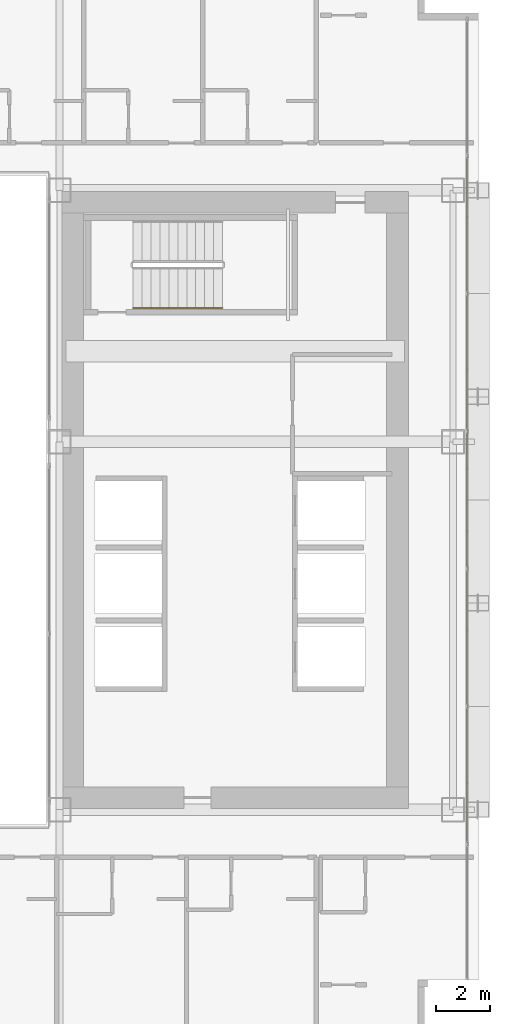
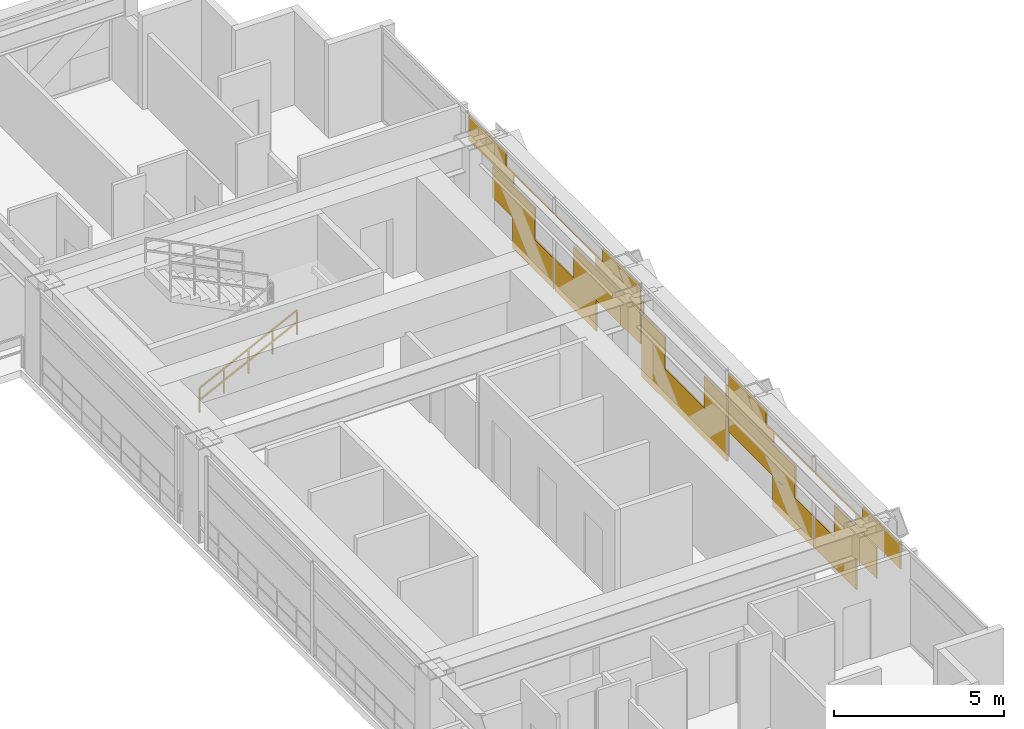
# One storey, part 40 of 41: 1 covering, 1 railing.
"""IFC4 building model written with IfcOpenShell, lengths in metres."""

from ifc_helpers import new_model, si_unit, direction, frame, origin, origin_2d, place, context, subcontext, project, spatial, rectangle, extrude, material, layer, layer_set, type_object, element, save


model = new_model("IFC4")

# Units and contexts
model_context = context("Model", 3, precision=1e-05, world=origin(), true_north=direction((0.0, 1.0)))
body_context = subcontext(model_context, "Body", "Model", "MODEL_VIEW")
ifc_project = project(units=[si_unit("LENGTHUNIT", "METRE"), si_unit("AREAUNIT", "SQUARE_METRE"), si_unit("VOLUMEUNIT", "CUBIC_METRE"), si_unit("PLANEANGLEUNIT", "RADIAN"), si_unit("MASSUNIT", "GRAM", prefix="KILO")], contexts=[model_context])

# Site, building, storey
site_placement = place(None, origin())
site = spatial("IfcSite", under=ifc_project, at=site_placement, CompositionType="ELEMENT")
building_placement = place(site_placement, origin())
building = spatial("IfcBuilding", under=site, at=building_placement, Name="Ocotamira Hotel", CompositionType="ELEMENT")
storey_placement = place(building_placement, frame((0.0, 0.0, 38.39990234375)))
storey = spatial("IfcBuildingStorey", under=building, at=storey_placement, Name="L08", CompositionType="ELEMENT", Elevation=38.39990234375)

# Covering
ifc_material_1 = material(Name="Insulated pale-metal aluminium spandrel panel", Category="aluminium")
ifc_layer = layer(ifc_material_1, 0.044921875)
ifc_layer_set = layer_set([ifc_layer], Name="Insulated pale-metal aluminium spandrel panel")
covering_type = type_object("IfcCoveringType", Name="COV-INFILL-45", PredefinedType="CLADDING", material=ifc_layer_set)
covering_placement = place(storey_placement, origin())
element("IfcCovering", 1, at=covering_placement, inside=storey, type_object=covering_type, Name="L08 Curtain Wall Infill CW-2 CW-L08-E", PredefinedType="CLADDING", context=body_context, shape_type="SweptSolid", body=[
    extrude(rectangle(XDim=2.49658203125, YDim=0.044921875, at=origin_2d()), frame((55.580078125, 15.977783203125, 1.1943359375), z_axis=(0.0, 0.0, 1.0), x_axis=(0.0, 1.0, 0.0)), (0.0, 0.0, 1.0), 1.11767578125),
    extrude(rectangle(XDim=2.415283203125, YDim=0.044921875, at=origin_2d()), frame((55.580078125, 17.123291015625, 0.07568359375), z_axis=(0.0, 0.0, 1.0), x_axis=(0.0, 1.0, 0.0)), (0.0, 0.0, 1.0), 1.11767578125),
    extrude(rectangle(XDim=2.634521484375, YDim=0.044921875, at=origin_2d()), frame((55.580078125, 14.6435546875, 2.38818359375), z_axis=(0.0, 0.0, 1.0), x_axis=(0.0, 1.0, 0.0)), (0.0, 0.0, 1.0), 0.366943359375),
    extrude(rectangle(XDim=5.004638671875, YDim=0.044921875, at=origin_2d()), frame((55.580078125, 15.82861328125, 2.756103515625), z_axis=(0.0, 0.0, 1.0), x_axis=(0.0, 1.0, 0.0)), (0.0, 0.0, 1.0), 0.033203125),
    extrude(rectangle(XDim=2.2080078125, YDim=0.044921875, at=origin_2d()), frame((55.580078125, 14.43017578125, 2.79052734375), z_axis=(0.0, 0.0, 1.0), x_axis=(0.0, 1.0, 0.0)), (0.0, 0.0, 1.0), 0.484130859375),
    extrude(rectangle(XDim=2.40576171875, YDim=0.044921875, at=origin_2d()), frame((55.580078125, 19.61474609375, 0.07568359375), z_axis=(0.0, 0.0, 1.0), x_axis=(0.0, 1.0, 0.0)), (0.0, 0.0, 1.0), 1.11767578125),
    extrude(rectangle(XDim=3.90966796875, YDim=0.044921875, at=origin_2d()), frame((55.580078125, 21.4619140625, 1.1943359375), z_axis=(0.0, 0.0, 1.0), x_axis=(0.0, 1.0, 0.0)), (0.0, 0.0, 1.0), 1.11767578125),
    extrude(rectangle(XDim=5.004638671875, YDim=0.044921875, at=origin_2d()), frame((55.580078125, 20.914306640625, 2.756103515625), z_axis=(0.0, 0.0, 1.0), x_axis=(0.0, 1.0, 0.0)), (0.0, 0.0, 1.0), 0.033203125),
    extrude(rectangle(XDim=2.64404296875, YDim=0.044921875, at=origin_2d()), frame((55.580078125, 22.094482421875, 2.38818359375), z_axis=(0.0, 0.0, 1.0), x_axis=(0.0, 1.0, 0.0)), (0.0, 0.0, 1.0), 0.366943359375),
    extrude(rectangle(XDim=2.217529296875, YDim=0.044921875, at=origin_2d()), frame((55.580078125, 22.307861328125, 2.79052734375), z_axis=(0.0, 0.0, 1.0), x_axis=(0.0, 1.0, 0.0)), (0.0, 0.0, 1.0), 0.484130859375),
    extrude(rectangle(XDim=5.004638671875, YDim=0.044921875, at=origin_2d()), frame((55.580078125, 26.0, 0.07568359375), z_axis=(0.0, 0.0, 1.0), x_axis=(0.0, 1.0, 0.0)), (0.0, 0.0, 1.0), 1.11767578125),
    extrude(rectangle(XDim=1.362060546875, YDim=0.044921875, at=origin_2d()), frame((55.580078125, 24.1787109375, 1.1943359375), z_axis=(0.0, 0.0, 1.0), x_axis=(0.0, 1.0, 0.0)), (0.0, 0.0, 1.0), 1.11767578125),
    extrude(rectangle(XDim=1.362060546875, YDim=0.044921875, at=origin_2d()), frame((55.580078125, 27.8212890625, 1.1943359375), z_axis=(0.0, 0.0, 1.0), x_axis=(0.0, 1.0, 0.0)), (0.0, 0.0, 1.0), 1.11767578125),
    extrude(rectangle(XDim=0.096435546875, YDim=0.044921875, at=origin_2d()), frame((55.580078125, 23.5458984375, 2.387939453125), z_axis=(0.0, 0.0, 1.0), x_axis=(0.0, 1.0, 0.0)), (0.0, 0.0, 1.0), 0.4013671875),
    extrude(rectangle(XDim=0.096435546875, YDim=0.044921875, at=origin_2d()), frame((55.580078125, 28.4541015625, 2.387939453125), z_axis=(0.0, 0.0, 1.0), x_axis=(0.0, 1.0, 0.0)), (0.0, 0.0, 1.0), 0.4013671875),
    extrude(rectangle(XDim=3.90966796875, YDim=0.044921875, at=origin_2d()), frame((55.580078125, 30.5380859375, 1.1943359375), z_axis=(0.0, 0.0, 1.0), x_axis=(0.0, 1.0, 0.0)), (0.0, 0.0, 1.0), 1.11767578125),
    extrude(rectangle(XDim=2.40576171875, YDim=0.044921875, at=origin_2d()), frame((55.580078125, 32.38525390625, 0.07568359375), z_axis=(0.0, 0.0, 1.0), x_axis=(0.0, 1.0, 0.0)), (0.0, 0.0, 1.0), 1.11767578125),
    extrude(rectangle(XDim=2.64404296875, YDim=0.044921875, at=origin_2d()), frame((55.580078125, 29.905517578125, 2.38818359375), z_axis=(0.0, 0.0, 1.0), x_axis=(0.0, 1.0, 0.0)), (0.0, 0.0, 1.0), 0.366943359375),
    extrude(rectangle(XDim=5.004638671875, YDim=0.044921875, at=origin_2d()), frame((55.580078125, 31.085693359375, 2.756103515625), z_axis=(0.0, 0.0, 1.0), x_axis=(0.0, 1.0, 0.0)), (0.0, 0.0, 1.0), 0.033203125),
    extrude(rectangle(XDim=2.217529296875, YDim=0.044921875, at=origin_2d()), frame((55.580078125, 29.692138671875, 2.79052734375), z_axis=(0.0, 0.0, 1.0), x_axis=(0.0, 1.0, 0.0)), (0.0, 0.0, 1.0), 0.484130859375),
    extrude(rectangle(XDim=2.415283203125, YDim=0.044921875, at=origin_2d()), frame((55.580078125, 34.876708984375, 0.07568359375), z_axis=(0.0, 0.0, 1.0), x_axis=(0.0, 1.0, 0.0)), (0.0, 0.0, 1.0), 1.11767578125),
    extrude(rectangle(XDim=2.49658203125, YDim=0.044921875, at=origin_2d()), frame((55.580078125, 36.022216796875, 1.1943359375), z_axis=(0.0, 0.0, 1.0), x_axis=(0.0, 1.0, 0.0)), (0.0, 0.0, 1.0), 1.11767578125),
    extrude(rectangle(XDim=5.004638671875, YDim=0.044921875, at=origin_2d()), frame((55.580078125, 36.17138671875, 2.756103515625), z_axis=(0.0, 0.0, 1.0), x_axis=(0.0, 1.0, 0.0)), (0.0, 0.0, 1.0), 0.033203125),
    extrude(rectangle(XDim=2.634521484375, YDim=0.044921875, at=origin_2d()), frame((55.580078125, 37.3564453125, 2.38818359375), z_axis=(0.0, 0.0, 1.0), x_axis=(0.0, 1.0, 0.0)), (0.0, 0.0, 1.0), 0.366943359375),
    extrude(rectangle(XDim=2.2080078125, YDim=0.044921875, at=origin_2d()), frame((55.580078125, 37.56982421875, 2.79052734375), z_axis=(0.0, 0.0, 1.0), x_axis=(0.0, 1.0, 0.0)), (0.0, 0.0, 1.0), 0.484130859375),
])

# Railing
ifc_material_2 = material(Name="Brushed stainless steel handrail", Category="steel")
railing_type = type_object("IfcRailingType", Name="RL-HAND-900", PredefinedType="HANDRAIL", material=ifc_material_2)
railing_placement = place(storey_placement, frame((43.22998046875, 33.10009765625, 0.327392578125)))
element("IfcRailing", 2, at=railing_placement, inside=storey, type_object=railing_type, Name="L08 ST-4 stair handrail 1", PredefinedType="HANDRAIL", context=body_context, shape_type="SweptSolid", body=[
    extrude(rectangle(XDim=0.048095703125, YDim=0.048095703125, at=origin_2d()), frame((0.0, 0.0, 0.8759765625), z_axis=(0.895920123917, 0.0, 0.444215186098), x_axis=(0.0, 1.0, 0.0)), (0.0, 0.0, 1.0), 3.683349609375),
    extrude(rectangle(XDim=0.048095703125, YDim=0.048095703125, at=origin_2d()), frame((0.0, 0.0, 0.449951171875), z_axis=(0.895920123917, 0.0, 0.444215186098), x_axis=(0.0, 1.0, 0.0)), (0.0, 0.0, 1.0), 3.683349609375),
    extrude(rectangle(XDim=0.0419921875, YDim=0.0419921875, at=origin_2d()), origin(), (0.0, 0.0, 1.0), 0.851806640625),
    extrude(rectangle(XDim=0.0419921875, YDim=0.0419921875, at=origin_2d()), frame((0.824951171875, 0.0, 0.4091796875)), (0.0, 0.0, 1.0), 0.851806640625),
    extrude(rectangle(XDim=0.0419921875, YDim=0.0419921875, at=origin_2d()), frame((1.64990234375, 0.0, 0.818115234375)), (0.0, 0.0, 1.0), 0.851806640625),
    extrude(rectangle(XDim=0.0419921875, YDim=0.0419921875, at=origin_2d()), frame((2.47509765625, 0.0, 1.22705078125)), (0.0, 0.0, 1.0), 0.851806640625),
    extrude(rectangle(XDim=0.0419921875, YDim=0.0419921875, at=origin_2d()), frame((3.300048828125, 0.0, 1.63623046875)), (0.0, 0.0, 1.0), 0.851806640625),
])

save(model, "model.ifc")
